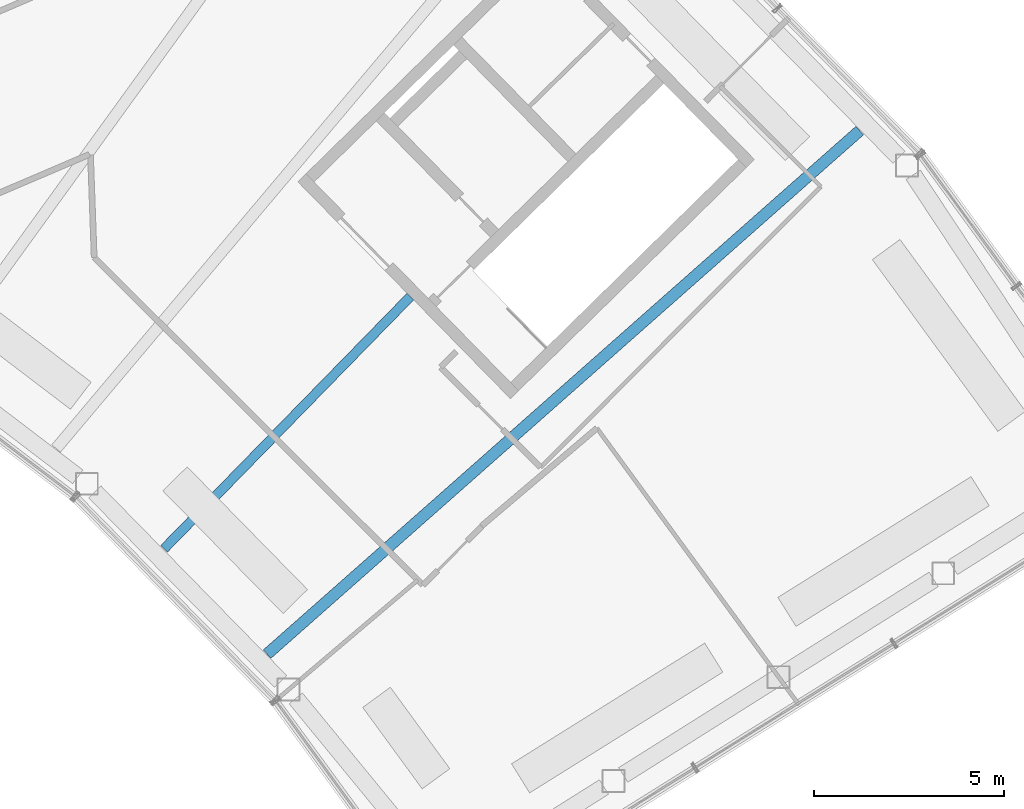
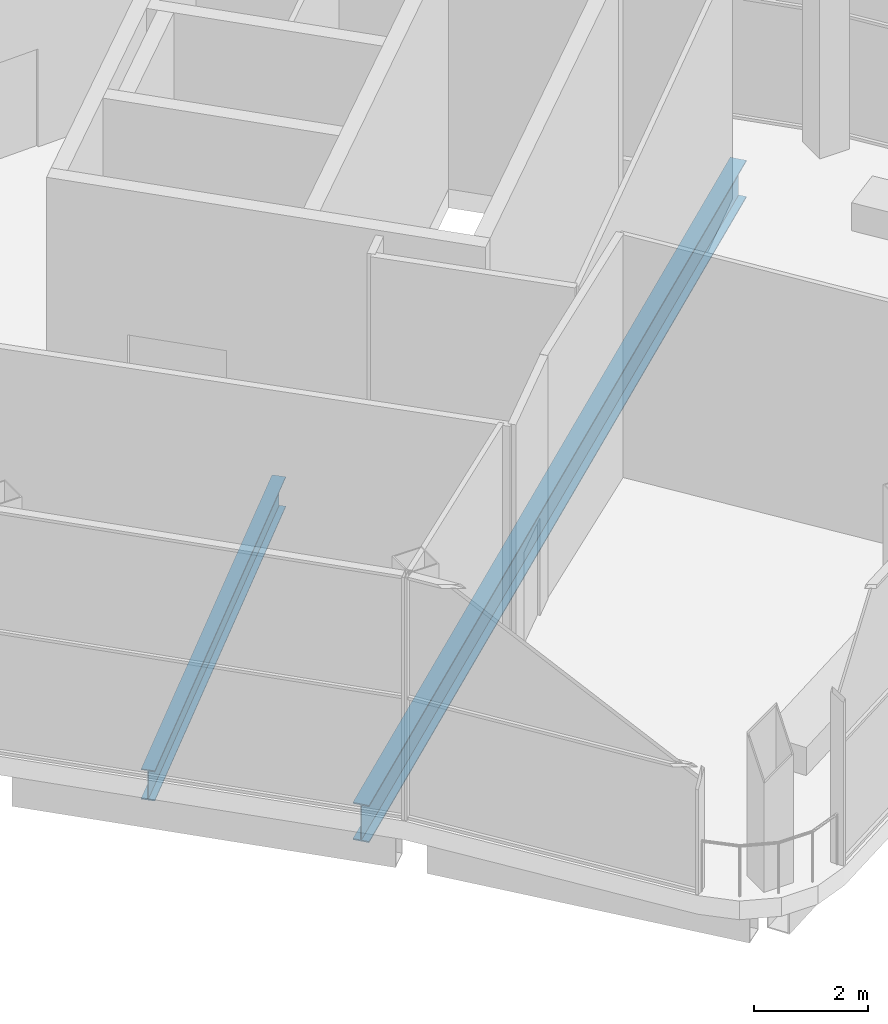
# One storey, part 24 of 44: 2 beams.
"""IFC4 building model written with IfcOpenShell, lengths in metres."""

from ifc_helpers import new_model, si_unit, direction, frame, origin, origin_2d, place, context, subcontext, project, spatial, i_section, extrude, material, material_profile, profile_set, type_object, element, save


model = new_model("IFC4")

# Units and contexts
model_context = context("Model", 3, precision=1e-05, world=origin(), true_north=direction((0.0, 1.0)))
body_context = subcontext(model_context, "Body", "Model", "MODEL_VIEW")
ifc_project = project(units=[si_unit("LENGTHUNIT", "METRE"), si_unit("AREAUNIT", "SQUARE_METRE"), si_unit("VOLUMEUNIT", "CUBIC_METRE"), si_unit("PLANEANGLEUNIT", "RADIAN"), si_unit("MASSUNIT", "GRAM", prefix="KILO")], contexts=[model_context])

# Site, building, storey
site_placement = place(None, origin())
site = spatial("IfcSite", under=ifc_project, at=site_placement, CompositionType="ELEMENT")
building_placement = place(site_placement, origin())
building = spatial("IfcBuilding", under=site, at=building_placement, Name="Tuul Gate Civic Tower", CompositionType="ELEMENT")
storey_placement = place(building_placement, frame((0.0, 0.0, 354.60009765625)))
storey = spatial("IfcBuildingStorey", under=building, at=storey_placement, Name="Observation level 2", CompositionType="ELEMENT", Elevation=354.60009765625)

# Beams
ifc_material_1 = material(Name="Steel S355", Category="steel")
ifc_material_profile_1 = material_profile(ifc_material_1, i_section(OverallWidth=0.25, OverallDepth=0.64990234375, WebThickness=0.011962890625, FlangeThickness=0.02001953125, at=origin_2d()), Name="PG650x250x12x20")
ifc_profile_set_1 = profile_set([ifc_material_profile_1], Name="Steel S355")
beam_type_1 = type_object("IfcBeamType", Name="STR-FLOOR BEAM-PG650x250x12x20", PredefinedType="BEAM", material=ifc_profile_set_1)
beam_1_placement = place(storey_placement, frame((38.990234375, -22.390380859375, -0.72509765625), z_axis=(0.698674470128, 0.715439714296, 0.0), x_axis=(-0.715439714296, 0.698674470128, 0.0)))
element("IfcBeam", 1, at=beam_1_placement, inside=storey, type_object=beam_type_1, Name="Floor beam", PredefinedType="BEAM", context=body_context, shape_type="SweptSolid", body=[
    extrude(i_section(OverallWidth=0.25, OverallDepth=0.64990234375, WebThickness=0.011962890625, FlangeThickness=0.02001953125, at=origin_2d()), origin(), (0.0, 0.0, 1.0), 9.290771484375),
])
ifc_material_2 = material(Name="Steel S355", Category="steel")
ifc_material_profile_2 = material_profile(ifc_material_2, i_section(OverallWidth=0.300048828125, OverallDepth=0.800048828125, WebThickness=0.013916015625, FlangeThickness=0.02490234375, at=origin_2d()), Name="PG800x300x14x25")
ifc_profile_set_2 = profile_set([ifc_material_profile_2], Name="Steel S355")
beam_type_2 = type_object("IfcBeamType", Name="STR-FLOOR BEAM-PG800x300x14x25", PredefinedType="BEAM", material=ifc_profile_set_2)
beam_2_placement = place(storey_placement, frame((41.707275390625, -25.16259765625, -0.800048828125), z_axis=(0.749453243269, 0.662057275584, 0.0), x_axis=(-0.662057275584, 0.749453243269, 0.0)))
element("IfcBeam", 2, at=beam_2_placement, inside=storey, type_object=beam_type_2, Name="Floor beam", PredefinedType="BEAM", context=body_context, shape_type="SweptSolid", body=[
    extrude(i_section(OverallWidth=0.300048828125, OverallDepth=0.800048828125, WebThickness=0.013916015625, FlangeThickness=0.02490234375, at=origin_2d()), origin(), (0.0, 0.0, 1.0), 20.828369140625),
])

save(model, "model.ifc")
